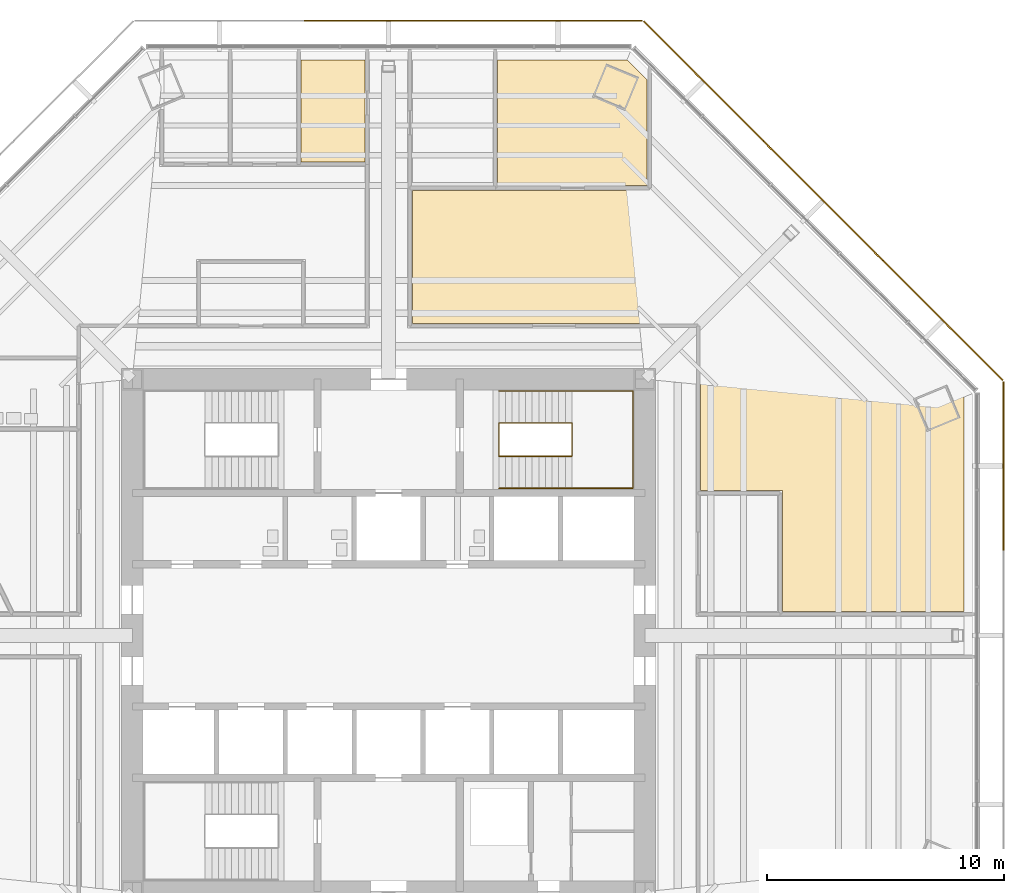
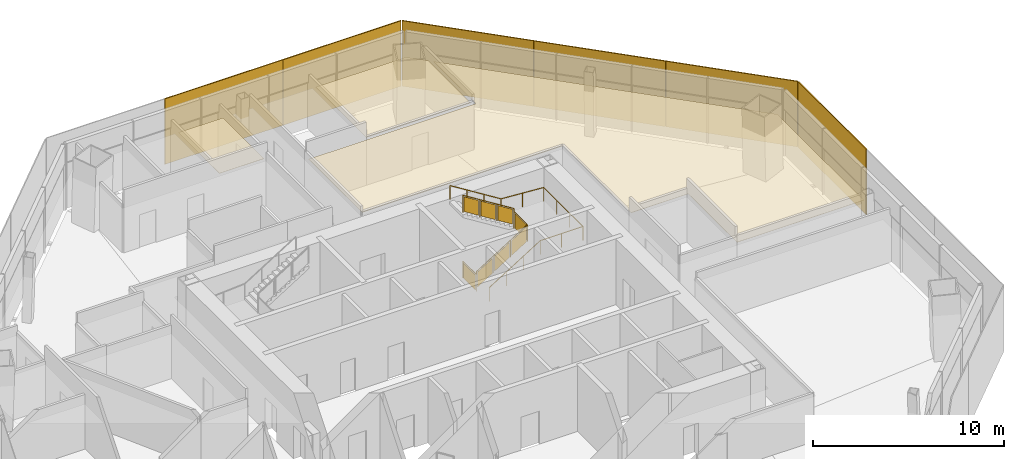
# One storey, part 13 of 14: 6 shading devices, 3 coverings, 2 railings.
"""IFC4 building model written with IfcOpenShell, lengths in metres."""

from ifc_helpers import new_model, si_unit, direction, frame, origin, origin_2d, place, context, subcontext, project, spatial, polyline, rectangle, circle, outline, extrude, source, transform, mapped, material, layer, layer_set, type_object, type_shapes, element, save


model = new_model("IFC4")

# Units and contexts
model_context = context("Model", 3, precision=1e-05, world=origin(), true_north=direction((0.0, 1.0)))
body_context = subcontext(model_context, "Body", "Model", "MODEL_VIEW")
ifc_project = project(units=[si_unit("LENGTHUNIT", "METRE"), si_unit("AREAUNIT", "SQUARE_METRE"), si_unit("VOLUMEUNIT", "CUBIC_METRE"), si_unit("PLANEANGLEUNIT", "RADIAN"), si_unit("MASSUNIT", "GRAM", prefix="KILO")], contexts=[model_context])

# Site, building, storey
site_placement = place(None, origin())
site = spatial("IfcSite", under=ifc_project, at=site_placement, CompositionType="ELEMENT")
building_placement = place(site_placement, origin())
building = spatial("IfcBuilding", under=site, at=building_placement, Name="Mashrafa Tower", CompositionType="ELEMENT")
storey_placement = place(building_placement, frame((0.0, 0.0, 113.39990234375)))
storey = spatial("IfcBuildingStorey", under=building, at=storey_placement, Name="L25", CompositionType="ELEMENT", Elevation=113.39990234375)

# Railings
ifc_material_1 = material(Name="Steel guard with glass infill", Category="steel")
railing_type_1 = type_object("IfcRailingType", Name="Stair guard 1100", PredefinedType="GUARDRAIL", material=ifc_material_1)
railing_1_placement = place(storey_placement, frame((4.64990234375, 8.949951171875, 0.0)))
element("IfcRailing", 1, at=railing_1_placement, inside=storey, type_object=railing_type_1, Name="Stair S2 guard L25", PredefinedType="GUARDRAIL", context=body_context, shape_type="SweptSolid", body=[
    extrude(circle(Radius=0.02392578125, at=origin_2d()), frame((0.0, 0.0, 1.076171875), z_axis=(0.0, -1.0, 0.0), x_axis=(1.0, 0.0, 0.0)), (0.0, 0.0, 1.0), 1.39990234375),
    extrude(circle(Radius=0.02392578125, at=origin_2d()), frame((0.0, -1.39990234375, 1.076171875), z_axis=(0.0, 0.0, 1.0), x_axis=(1.0, 0.0, 0.0)), (0.0, 0.0, 1.0), 0.175048828125),
    extrude(circle(Radius=0.02392578125, at=origin_2d()), frame((0.0, -1.39990234375, 1.2509765625), z_axis=(0.847998304005, 0.0, 0.529998940003), x_axis=(0.0, 1.0, 0.0)), (0.0, 0.0, 1.0), 3.632080078125),
    extrude(circle(Radius=0.02392578125, at=origin_2d()), frame((3.080078125, -1.39990234375, 3.17626953125), z_axis=(0.0, 1.0, 0.0), x_axis=(-1.0, 0.0, 0.0)), (0.0, 0.0, 1.0), 1.39990234375),
    extrude(circle(Radius=0.02392578125, at=origin_2d()), frame((3.080078125, 0.0, 3.17626953125), z_axis=(0.0, 0.0, 1.0), x_axis=(1.0, 0.0, 0.0)), (0.0, 0.0, 1.0), 0.175048828125),
    extrude(circle(Radius=0.02392578125, at=origin_2d()), frame((3.080078125, 0.0, 3.35107421875), z_axis=(-0.847998304005, 0.0, 0.529998940003), x_axis=(0.0, -1.0, 0.0)), (0.0, 0.0, 1.0), 3.632080078125),
    extrude(circle(Radius=0.02099609375, at=origin_2d()), origin(), (0.0, 0.0, 1.0), 1.052001953125),
    extrude(circle(Radius=0.02099609375, at=origin_2d()), frame((0.0, -1.39990234375, 0.0)), (0.0, 0.0, 1.0), 1.052001953125),
    extrude(circle(Radius=0.02099609375, at=origin_2d()), frame((0.0, -1.39990234375, 0.175048828125)), (0.0, 0.0, 1.0), 1.052001953125),
    extrude(circle(Radius=0.02099609375, at=origin_2d()), frame((1.026611328125, -1.39990234375, 0.816650390625)), (0.0, 0.0, 1.0), 1.052001953125),
    extrude(circle(Radius=0.02099609375, at=origin_2d()), frame((2.053466796875, -1.39990234375, 1.45849609375)), (0.0, 0.0, 1.0), 1.052001953125),
    extrude(circle(Radius=0.02099609375, at=origin_2d()), frame((3.080078125, -1.39990234375, 2.10009765625)), (0.0, 0.0, 1.0), 1.052001953125),
    extrude(circle(Radius=0.02099609375, at=origin_2d()), frame((3.080078125, 0.0, 2.10009765625)), (0.0, 0.0, 1.0), 1.052001953125),
    extrude(circle(Radius=0.02099609375, at=origin_2d()), frame((3.080078125, 0.0, 2.275146484375)), (0.0, 0.0, 1.0), 1.052001953125),
    extrude(circle(Radius=0.02099609375, at=origin_2d()), frame((2.053466796875, 0.0, 2.916748046875)), (0.0, 0.0, 1.0), 1.052001953125),
    extrude(circle(Radius=0.02099609375, at=origin_2d()), frame((1.026611328125, 0.0, 3.55859375)), (0.0, 0.0, 1.0), 1.052001953125),
    extrude(circle(Radius=0.02099609375, at=origin_2d()), frame((0.0, 0.0, 4.2001953125)), (0.0, 0.0, 1.0), 1.052001953125),
    extrude(outline(polyline([(0.071044921875, 0.050048828125), (1.328857421875, 0.050048828125), (1.328857421875, 1.001953125), (0.071044921875, 1.001953125), (0.071044921875, 0.050048828125)])), frame((-0.006103515625, 0.0, 0.0), z_axis=(-1.0, 0.0, 0.0), x_axis=(0.0, -1.0, 0.0)), (0.0, 0.0, 1.0), 0.011962890625),
    extrude(outline(polyline([(0.071044921875, 0.094482421875), (0.955810546875, 0.647216796875), (0.955810546875, 1.599365234375), (0.071044921875, 1.04638671875), (0.071044921875, 0.094482421875)])), frame((0.0, -1.406005859375, 0.175048828125), z_axis=(0.0, -1.0, 0.0), x_axis=(1.0, 0.0, 0.0)), (0.0, 0.0, 1.0), 0.011962890625),
    extrude(outline(polyline([(1.09765625, 0.736083984375), (1.982421875, 1.2890625), (1.982421875, 2.240966796875), (1.09765625, 1.68798828125), (1.09765625, 0.736083984375)])), frame((0.0, -1.406005859375, 0.175048828125), z_axis=(0.0, -1.0, 0.0), x_axis=(1.0, 0.0, 0.0)), (0.0, 0.0, 1.0), 0.011962890625),
    extrude(outline(polyline([(2.124267578125, 1.377685546875), (3.009033203125, 1.9306640625), (3.009033203125, 2.882568359375), (2.124267578125, 2.329833984375), (2.124267578125, 1.377685546875)])), frame((0.0, -1.406005859375, 0.175048828125), z_axis=(0.0, -1.0, 0.0), x_axis=(1.0, 0.0, 0.0)), (0.0, 0.0, 1.0), 0.011962890625),
    extrude(outline(polyline([(0.071044921875, 0.050048828125), (1.328857421875, 0.050048828125), (1.328857421875, 1.001953125), (0.071044921875, 1.001953125), (0.071044921875, 0.050048828125)])), frame((3.086181640625, -1.39990234375, 2.10009765625), z_axis=(1.0, 0.0, 0.0), x_axis=(0.0, 1.0, 0.0)), (0.0, 0.0, 1.0), 0.011962890625),
    extrude(outline(polyline([(0.071044921875, 0.094482421875), (0.955810546875, 0.647216796875), (0.955810546875, 1.599365234375), (0.071044921875, 1.04638671875), (0.071044921875, 0.094482421875)])), frame((3.080078125, 0.006103515625, 2.275146484375), z_axis=(0.0, 1.0, 0.0), x_axis=(-1.0, 0.0, 0.0)), (0.0, 0.0, 1.0), 0.011962890625),
    extrude(outline(polyline([(1.09765625, 0.736083984375), (1.982421875, 1.2890625), (1.982421875, 2.240966796875), (1.09765625, 1.68798828125), (1.09765625, 0.736083984375)])), frame((3.080078125, 0.006103515625, 2.275146484375), z_axis=(0.0, 1.0, 0.0), x_axis=(-1.0, 0.0, 0.0)), (0.0, 0.0, 1.0), 0.011962890625),
    extrude(outline(polyline([(2.124267578125, 1.377685546875), (3.009033203125, 1.9306640625), (3.009033203125, 2.882568359375), (2.124267578125, 2.329833984375), (2.124267578125, 1.377685546875)])), frame((3.080078125, 0.006103515625, 2.275146484375), z_axis=(0.0, 1.0, 0.0), x_axis=(-1.0, 0.0, 0.0)), (0.0, 0.0, 1.0), 0.011962890625),
])
ifc_material_2 = material(Name="Steel", Category="steel")
railing_type_2 = type_object("IfcRailingType", Name="Stair handrail 900", PredefinedType="HANDRAIL", material=ifc_material_2)
railing_2_placement = place(storey_placement, frame((4.64990234375, 6.199951171875, 0.175048828125)))
element("IfcRailing", 2, at=railing_2_placement, inside=storey, type_object=railing_type_2, Name="Stair S2 handrail L25", PredefinedType="HANDRAIL", context=body_context, shape_type="SweptSolid", body=[
    extrude(circle(Radius=0.02392578125, at=origin_2d()), frame((0.0, 0.0, 0.8759765625), z_axis=(0.847998304005, 0.0, 0.529998940003), x_axis=(0.0, 1.0, 0.0)), (0.0, 0.0, 1.0), 3.632080078125),
    extrude(circle(Radius=0.02392578125, at=origin_2d()), frame((3.080078125, 0.0, 2.80078125), z_axis=(1.0, 0.0, 0.0), x_axis=(0.0, 1.0, 0.0)), (0.0, 0.0, 1.0), 2.570068359375),
    extrude(circle(Radius=0.02392578125, at=origin_2d()), frame((5.650146484375, 0.0, 2.80078125), z_axis=(0.0, 1.0, 0.0), x_axis=(-1.0, 0.0, 0.0)), (0.0, 0.0, 1.0), 4.10009765625),
    extrude(circle(Radius=0.02392578125, at=origin_2d()), frame((5.650146484375, 4.10009765625, 2.80078125), z_axis=(-0.997688514158, 0.0, 0.067953136188), x_axis=(0.0, -1.0, 0.0)), (0.0, 0.0, 1.0), 2.575927734375),
    extrude(circle(Radius=0.02392578125, at=origin_2d()), frame((3.080078125, 4.10009765625, 2.97607421875), z_axis=(-0.847998304005, 0.0, 0.529998940003), x_axis=(0.0, -1.0, 0.0)), (0.0, 0.0, 1.0), 3.632080078125),
    extrude(circle(Radius=0.02099609375, at=origin_2d()), origin(), (0.0, 0.0, 1.0), 0.851806640625),
    extrude(circle(Radius=0.02099609375, at=origin_2d()), frame((1.026611328125, 0.0, 0.6416015625)), (0.0, 0.0, 1.0), 0.851806640625),
    extrude(circle(Radius=0.02099609375, at=origin_2d()), frame((2.053466796875, 0.0, 1.283447265625)), (0.0, 0.0, 1.0), 0.851806640625),
    extrude(circle(Radius=0.02099609375, at=origin_2d()), frame((3.080078125, 0.0, 1.925048828125)), (0.0, 0.0, 1.0), 0.851806640625),
    extrude(circle(Radius=0.02099609375, at=origin_2d()), frame((4.365234375, 0.0, 1.925048828125)), (0.0, 0.0, 1.0), 0.851806640625),
    extrude(circle(Radius=0.02099609375, at=origin_2d()), frame((5.650146484375, 0.0, 1.925048828125)), (0.0, 0.0, 1.0), 0.851806640625),
    extrude(circle(Radius=0.02099609375, at=origin_2d()), frame((5.650146484375, 1.36669921875, 1.925048828125)), (0.0, 0.0, 1.0), 0.851806640625),
    extrude(circle(Radius=0.02099609375, at=origin_2d()), frame((5.650146484375, 2.7333984375, 1.925048828125)), (0.0, 0.0, 1.0), 0.851806640625),
    extrude(circle(Radius=0.02099609375, at=origin_2d()), frame((5.650146484375, 4.10009765625, 1.925048828125)), (0.0, 0.0, 1.0), 0.851806640625),
    extrude(circle(Radius=0.02099609375, at=origin_2d()), frame((4.365234375, 4.10009765625, 2.0126953125)), (0.0, 0.0, 1.0), 0.851806640625),
    extrude(circle(Radius=0.02099609375, at=origin_2d()), frame((3.080078125, 4.10009765625, 2.10009765625)), (0.0, 0.0, 1.0), 0.851806640625),
    extrude(circle(Radius=0.02099609375, at=origin_2d()), frame((2.053466796875, 4.10009765625, 2.74169921875)), (0.0, 0.0, 1.0), 0.851806640625),
    extrude(circle(Radius=0.02099609375, at=origin_2d()), frame((1.026611328125, 4.10009765625, 3.383544921875)), (0.0, 0.0, 1.0), 0.851806640625),
    extrude(circle(Radius=0.02099609375, at=origin_2d()), frame((0.0, 4.10009765625, 4.025146484375)), (0.0, 0.0, 1.0), 0.851806640625),
])

# Coverings
ifc_material_3 = material(Name="Mineral fibre tile on suspension grid")
ifc_layer_1 = layer(ifc_material_3, 0.014892578125)
ifc_layer_set_1 = layer_set([ifc_layer_1], Name="Suspended ceiling mineral tile 15")
covering_type = type_object("IfcCoveringType", Name="Suspended ceiling mineral tile 15", PredefinedType="CEILING", material=ifc_layer_set_1)
covering_1_placement = place(storey_placement, frame((0.0, 0.0, 2.900146484375)))
element("IfcCovering", 3, at=covering_1_placement, inside=storey, type_object=covering_type, Name="Ceiling Director General's Office 25-NE", PredefinedType="CEILING", context=body_context, shape_type="SweptSolid", body=[
    extrude(outline(polyline([(4.60009765625, 24.2568359375), (10.047607421875, 24.2568359375), (10.89990234375, 23.404296875), (10.89990234375, 18.956787109375), (4.60009765625, 18.956787109375), (4.60009765625, 24.2568359375)])), origin(), (0.0, 0.0, 1.0), 0.014892578125),
])
covering_2_placement = place(storey_placement, frame((0.0, 0.0, 2.900146484375)))
element("IfcCovering", 4, at=covering_2_placement, inside=storey, type_object=covering_type, Name="Ceiling Meeting Room 25-1", PredefinedType="CEILING", context=body_context, shape_type="SweptSolid", body=[
    extrude(outline(polyline([(-3.68505859375, 24.2568359375), (-1.0, 24.2568359375), (-1.0, 19.956787109375), (-3.68505859375, 19.956787109375), (-3.68505859375, 24.2568359375)])), origin(), (0.0, 0.0, 1.0), 0.014892578125),
])
covering_3_placement = place(storey_placement, frame((0.0, 0.0, 2.900146484375)))
element("IfcCovering", 5, at=covering_3_placement, inside=storey, type_object=covering_type, Name="Ceiling Agency Services Office 25-NE", PredefinedType="CEILING", context=body_context, shape_type="SweptSolid", body=[
    extrude(outline(polyline([(11.10009765625, 18.7568359375), (11.10009765625, 23.204345703125), (24.2568359375, 10.047607421875), (24.2568359375, 1.0), (16.60009765625, 1.0), (16.60009765625, 6.10009765625), (13.14990234375, 6.10009765625), (13.14990234375, 13.14990234375), (1.0, 13.14990234375), (1.0, 18.7568359375), (11.10009765625, 18.7568359375)])), origin(), (0.0, 0.0, 1.0), 0.014892578125),
])

# Shading devices
ifc_material_4 = material(Name="Perforated aluminium plate, eight-point star pattern", Category="aluminium")
ifc_layer_2 = layer(ifc_material_4, 0.06005859375)
ifc_layer_set_2 = layer_set([ifc_layer_2], Name="Mashrabiya screen panel office zone 2, 40 percent open")
shading_device_type = type_object("IfcShadingDeviceType", Name="Mashrabiya screen panel office zone 2, 40 percent open", PredefinedType="SHUTTER", material=ifc_layer_set_2)
shared_shape = source(origin(), body_context, "Body", "SweptSolid", [
    extrude(rectangle(XDim=7.118896484375, YDim=0.06005859375, at=origin_2d()), origin(), (0.0, 0.0, 1.0), 4.179931640625),
])
type_shapes(shading_device_type, [shared_shape])
for number, where, z_axis, x_axis, name in (
    (6, (25.90673828125, 7.138916015625, -0.14990234375), (0.0, 0.0, 1.0), (0.0, 1.0, 0.0), "Mashrabiya screen L25 east 3"),
    (7, (23.366943359375, 13.270751953125, -0.14990234375), (0.0, 0.0, 1.0), (-0.707106781187, 0.707106781187, 0.0), "Mashrabiya screen L25 north-east 1"),
    (8, (18.31884765625, 18.31884765625, -0.14990234375), (0.0, 0.0, 1.0), (-0.707106781187, 0.707106781187, 0.0), "Mashrabiya screen L25 north-east 2"),
    (9, (13.270751953125, 23.366943359375, -0.14990234375), (0.0, 0.0, 1.0), (-0.707106781187, 0.707106781187, 0.0), "Mashrabiya screen L25 north-east 3"),
    (10, (7.138916015625, 25.90673828125, -0.14990234375), (0.0, 0.0, 1.0), (-1.0, 0.0, 0.0), "Mashrabiya screen L25 north 1"),
    (11, (0.0, 25.90673828125, -0.14990234375), (0.0, 0.0, 1.0), (-1.0, 0.0, 0.0), "Mashrabiya screen L25 north 2"),
):
    element("IfcShadingDevice", number, at=place(storey_placement, frame(where, z_axis=z_axis, x_axis=x_axis)), inside=storey, type_object=shading_device_type, Name=name, PredefinedType="SHUTTER", context=body_context, shape_type="MappedRepresentation", body=[
        mapped(shared_shape, transform((0.0, 0.0, 0.0))),
    ])

save(model, "model.ifc")
